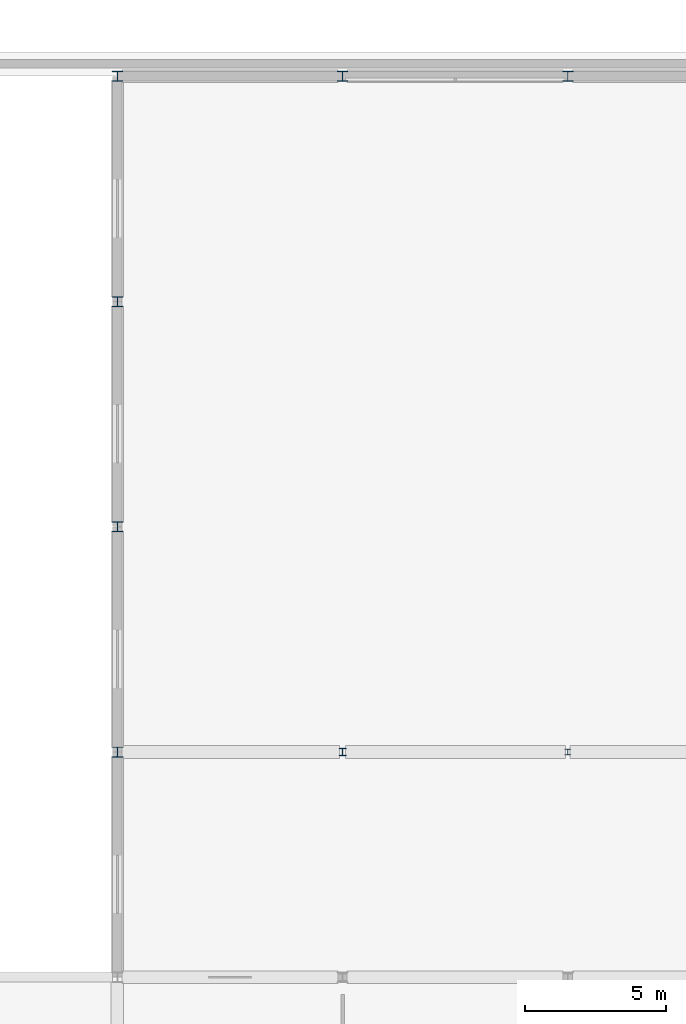
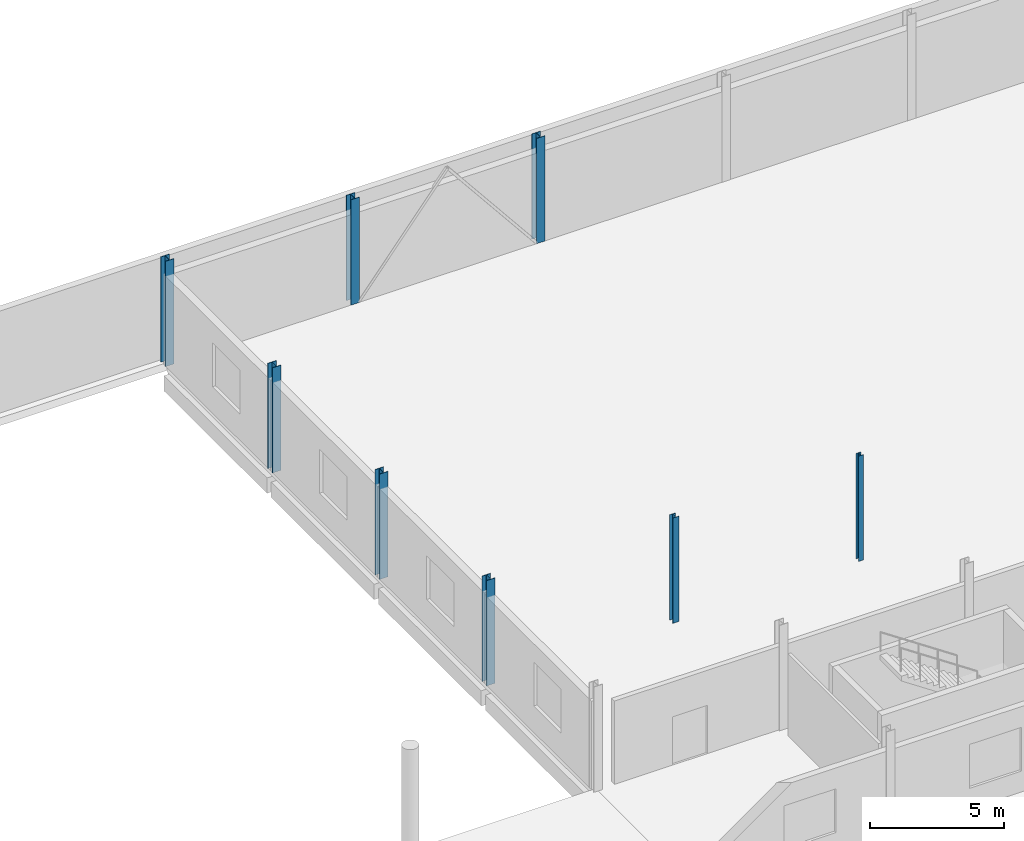
# One storey, part 10 of 117: 8 columns.
"""IFC4 building model written with IfcOpenShell, lengths in metres."""

from ifc_helpers import new_model, si_unit, direction, frame, origin, origin_2d, place, context, subcontext, project, spatial, i_section, extrude, material, material_profile, profile_set, type_object, element, save


model = new_model("IFC4")

# Units and contexts
model_context = context("Model", 3, precision=1e-05, world=origin(), true_north=direction((0.0, 1.0)))
body_context = subcontext(model_context, "Body", "Model", "MODEL_VIEW")
ifc_project = project(units=[si_unit("LENGTHUNIT", "METRE"), si_unit("AREAUNIT", "SQUARE_METRE"), si_unit("VOLUMEUNIT", "CUBIC_METRE"), si_unit("PLANEANGLEUNIT", "RADIAN"), si_unit("MASSUNIT", "GRAM", prefix="KILO")], contexts=[model_context])

# Site, building, storey
site_placement = place(None, origin())
site = spatial("IfcSite", under=ifc_project, at=site_placement, CompositionType="ELEMENT")
building_placement = place(site_placement, origin())
building = spatial("IfcBuilding", under=site, at=building_placement, Name="Jelvoka-Kovrelna Polytechnic", CompositionType="ELEMENT")
storey_placement = place(building_placement, origin())
storey = spatial("IfcBuildingStorey", under=building, at=storey_placement, Name="L01", CompositionType="ELEMENT", Elevation=0.0)

# Columns
ifc_material_1 = material(Name="Structural steel S355JR", Category="steel")
ifc_material_profile_1 = material_profile(ifc_material_1, i_section(OverallWidth=0.205810546875, OverallDepth=0.209716796875, WebThickness=0.009521484375, FlangeThickness=0.01416015625, FilletRadius=0.01025390625, at=origin_2d()), Name="203x203x60 UC")
ifc_profile_set_1 = profile_set([ifc_material_profile_1], Name="Structural steel S355JR")
column_type_1 = type_object("IfcColumnType", Name="Col_Steel_UC203", PredefinedType="COLUMN", material=ifc_profile_set_1)
column_1_placement = place(storey_placement, frame((104.0, 96.0, 0.0), z_axis=(0.0, 0.0, 1.0), x_axis=(1.0, 0.0, 0.0)))
element("IfcColumn", 1, at=column_1_placement, inside=storey, type_object=column_type_1, Name="L01 column 1582", PredefinedType="COLUMN", context=body_context, shape_type="SweptSolid", body=[
    extrude(i_section(OverallWidth=0.205810546875, OverallDepth=0.209716796875, WebThickness=0.009521484375, FlangeThickness=0.01416015625, FilletRadius=0.01025390625, at=origin_2d()), origin(), (0.0, 0.0, 1.0), 4.800048828125),
])
ifc_material_2 = material(Name="Structural steel S355JR", Category="steel")
ifc_material_profile_2 = material_profile(ifc_material_2, i_section(OverallWidth=0.254638671875, OverallDepth=0.254150390625, WebThickness=0.008544921875, FlangeThickness=0.01416015625, FilletRadius=0.0126953125, at=origin_2d()), Name="254x254x73 UC")
ifc_profile_set_2 = profile_set([ifc_material_profile_2], Name="Structural steel S355JR")
column_type_2 = type_object("IfcColumnType", Name="Col_Steel_UC254", PredefinedType="COLUMN", material=ifc_profile_set_2)
column_2_placement = place(storey_placement, frame((96.0, 96.0, 0.0), z_axis=(0.0, 0.0, 1.0), x_axis=(1.0, 0.0, 0.0)))
element("IfcColumn", 2, at=column_2_placement, inside=storey, type_object=column_type_2, Name="L01 column 1580", PredefinedType="COLUMN", context=body_context, shape_type="SweptSolid", body=[
    extrude(i_section(OverallWidth=0.254638671875, OverallDepth=0.254150390625, WebThickness=0.008544921875, FlangeThickness=0.01416015625, FilletRadius=0.0126953125, at=origin_2d()), origin(), (0.0, 0.0, 1.0), 4.800048828125),
])
ifc_material_3 = material(Name="Structural steel S355JR", Category="steel")
ifc_material_profile_3 = material_profile(ifc_material_3, i_section(OverallWidth=0.36865234375, OverallDepth=0.355712890625, WebThickness=0.010498046875, FlangeThickness=0.017578125, FilletRadius=0.01513671875, at=origin_2d()), Name="356x368x129 UC")
ifc_profile_set_3 = profile_set([ifc_material_profile_3], Name="Structural steel S355JR")
column_type_3 = type_object("IfcColumnType", Name="Col_Steel_UC356", PredefinedType="COLUMN", material=ifc_profile_set_3)
for number, where, z_axis, x_axis, name in (
    (3, (88.0, 96.0, 0.0), (0.0, 0.0, 1.0), (1.0, 0.0, 0.0), "L01 column 1577"),
    (4, (88.0, 104.0, 0.0), (0.0, 0.0, 1.0), (1.0, 0.0, 0.0), "L01 column 1609"),
    (5, (88.0, 112.0, 0.0), (0.0, 0.0, 1.0), (1.0, 0.0, 0.0), "L01 column 1615"),
    (6, (88.0, 120.0, 0.0), (0.0, 0.0, 1.0), (1.0, 0.0, 0.0), "L01 column 1621"),
    (7, (96.0, 120.0, 0.0), (0.0, 0.0, 1.0), (1.0, 0.0, 0.0), "L01 column 1624"),
    (8, (104.0, 120.0, 0.0), (0.0, 0.0, 1.0), (1.0, 0.0, 0.0), "L01 column 1627"),
):
    element("IfcColumn", number, at=place(storey_placement, frame(where, z_axis=z_axis, x_axis=x_axis)), inside=storey, type_object=column_type_3, Name=name, PredefinedType="COLUMN", context=body_context, shape_type="SweptSolid", body=[
        extrude(i_section(OverallWidth=0.36865234375, OverallDepth=0.355712890625, WebThickness=0.010498046875, FlangeThickness=0.017578125, FilletRadius=0.01513671875, at=origin_2d()), origin(), (0.0, 0.0, 1.0), 4.800048828125),
    ])

save(model, "model.ifc")
